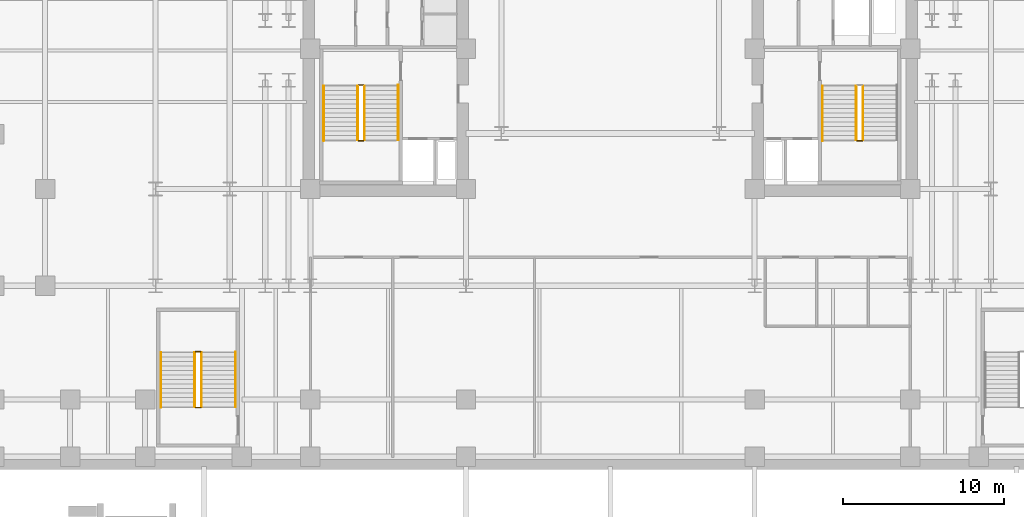
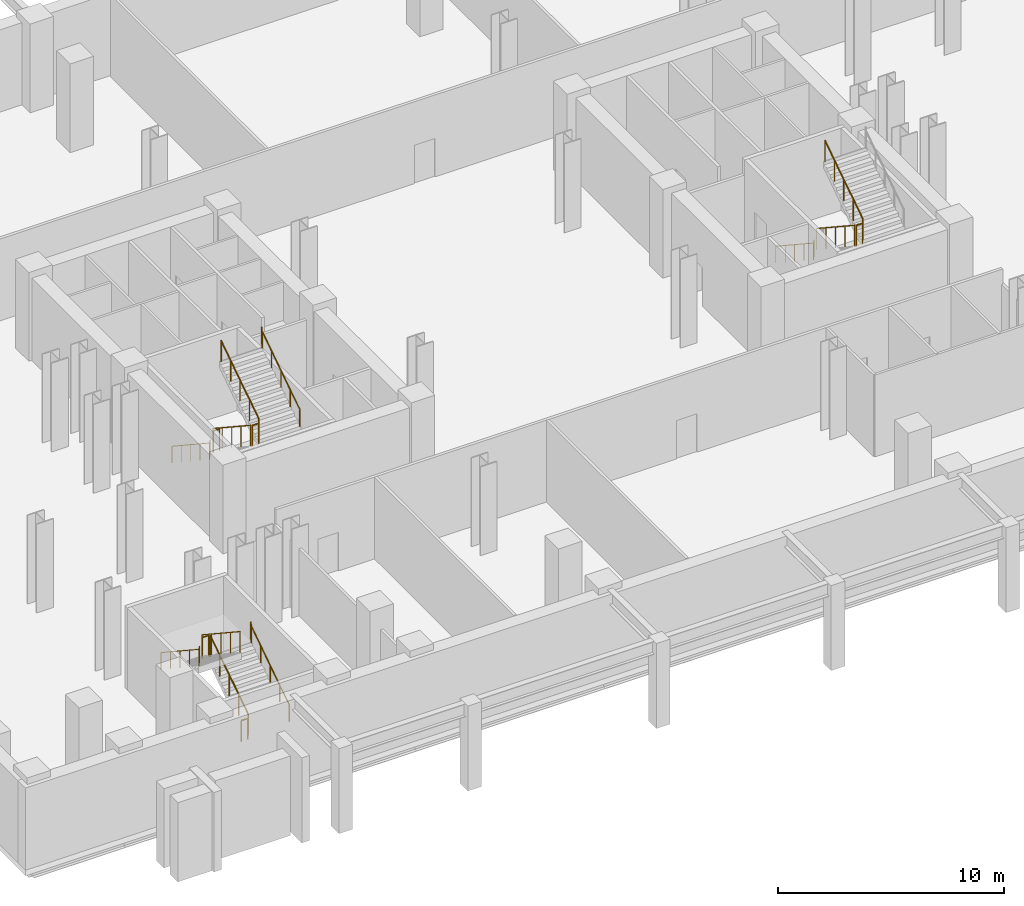
# One storey, part 11 of 13: 16 railings.
"""IFC4 building model written with IfcOpenShell, lengths in metres."""

from ifc_helpers import new_model, si_unit, direction, frame, origin, origin_2d, place, context, subcontext, project, spatial, circle, extrude, material, type_object, element, save


model = new_model("IFC4")

# Units and contexts
model_context = context("Model", 3, precision=1e-05, world=origin(), true_north=direction((0.0, 1.0)))
body_context = subcontext(model_context, "Body", "Model", "MODEL_VIEW")
ifc_project = project(units=[si_unit("LENGTHUNIT", "METRE"), si_unit("AREAUNIT", "SQUARE_METRE"), si_unit("VOLUMEUNIT", "CUBIC_METRE"), si_unit("PLANEANGLEUNIT", "RADIAN"), si_unit("MASSUNIT", "GRAM", prefix="KILO")], contexts=[model_context])

# Site, building, storey
site_placement = place(None, origin())
site = spatial("IfcSite", under=ifc_project, at=site_placement, CompositionType="ELEMENT")
building_placement = place(site_placement, origin())
building = spatial("IfcBuilding", under=site, at=building_placement, Name="Velakula Bourse", CompositionType="ELEMENT")
storey_placement = place(building_placement, frame((0.0, 0.0, -4.800048828125)))
storey = spatial("IfcBuildingStorey", under=building, at=storey_placement, Name="B01", CompositionType="ELEMENT", Elevation=-4.800048828125)

# Railings
ifc_material = material(Name="Brushed grade 316 stainless steel", Category="steel")
railing_type_1 = type_object("IfcRailingType", Name="RLG-STAIR-GUARD-1150", PredefinedType="BALUSTRADE", material=ifc_material)
railing_1_placement = place(storey_placement, frame((-15.672119140625, -2.199951171875, 0.1845703125)))
element("IfcRailing", 1, at=railing_1_placement, inside=storey, type_object=railing_type_1, Name="B01 ST-W1 stair guard 1", PredefinedType="BALUSTRADE", context=body_context, shape_type="SweptSolid", body=[
    extrude(circle(Radius=0.02490234375, at=origin_2d()), frame((0.0, 0.0, 1.125), z_axis=(0.0, -0.834848600103, 0.550479622607), x_axis=(1.0, 0.0, 0.0)), (0.0, 0.0, 1.0), 4.02490234375),
    extrude(circle(Radius=0.02099609375, at=origin_2d()), origin(), (0.0, 0.0, 1.0), 1.099853515625),
    extrude(circle(Radius=0.02099609375, at=origin_2d()), frame((0.0, -0.840087890625, 0.553955078125)), (0.0, 0.0, 1.0), 1.099853515625),
    extrude(circle(Radius=0.02099609375, at=origin_2d()), frame((0.0, -1.68017578125, 1.10791015625)), (0.0, 0.0, 1.0), 1.099853515625),
    extrude(circle(Radius=0.02099609375, at=origin_2d()), frame((0.0, -2.52001953125, 1.66162109375)), (0.0, 0.0, 1.0), 1.099853515625),
    extrude(circle(Radius=0.02099609375, at=origin_2d()), frame((0.0, -3.360107421875, 2.215576171875)), (0.0, 0.0, 1.0), 1.099853515625),
])
railing_2_placement = place(storey_placement, frame((-15.6220703125, -5.610107421875, 2.400146484375)))
element("IfcRailing", 2, at=railing_2_placement, inside=storey, type_object=railing_type_1, Name="B01 ST-W1 stair guard 2", PredefinedType="BALUSTRADE", context=body_context, shape_type="SweptSolid", body=[
    extrude(circle(Radius=0.02490234375, at=origin_2d()), frame((0.0, 0.0, 1.125), z_axis=(1.0, 0.0, 0.0), x_axis=(0.0, 1.0, 0.0)), (0.0, 0.0, 1.0), 0.323974609375),
    extrude(circle(Radius=0.02099609375, at=origin_2d()), origin(), (0.0, 0.0, 1.0), 1.099853515625),
    extrude(circle(Radius=0.02099609375, at=origin_2d()), frame((0.323974609375, 0.0, 0.0)), (0.0, 0.0, 1.0), 1.099853515625),
])
railing_3_placement = place(storey_placement, frame((-15.248046875, -5.56005859375, 2.584716796875)))
element("IfcRailing", 3, at=railing_3_placement, inside=storey, type_object=railing_type_1, Name="B01 ST-W1 stair guard 3", PredefinedType="BALUSTRADE", context=body_context, shape_type="SweptSolid", body=[
    extrude(circle(Radius=0.02490234375, at=origin_2d()), frame((0.0, 0.0, 1.125), z_axis=(0.0, 0.834876476806, 0.550437342915), x_axis=(-1.0, 0.0, 0.0)), (0.0, 0.0, 1.0), 4.024658203125),
    extrude(circle(Radius=0.02099609375, at=origin_2d()), origin(), (0.0, 0.0, 1.0), 1.099853515625),
    extrude(circle(Radius=0.02099609375, at=origin_2d()), frame((0.0, 0.840087890625, 0.5537109375)), (0.0, 0.0, 1.0), 1.099853515625),
    extrude(circle(Radius=0.02099609375, at=origin_2d()), frame((0.0, 1.68017578125, 1.107666015625)), (0.0, 0.0, 1.0), 1.099853515625),
    extrude(circle(Radius=0.02099609375, at=origin_2d()), frame((0.0, 2.52001953125, 1.66162109375)), (0.0, 0.0, 1.0), 1.099853515625),
    extrude(circle(Radius=0.02099609375, at=origin_2d()), frame((0.0, 3.360107421875, 2.21533203125)), (0.0, 0.0, 1.0), 1.099853515625),
])
railing_4_placement = place(storey_placement, frame((-15.6220703125, -2.14990234375, 0.0)))
element("IfcRailing", 4, at=railing_4_placement, inside=storey, type_object=railing_type_1, Name="B01 ST-W1 stair guard 4", PredefinedType="BALUSTRADE", context=body_context, shape_type="SweptSolid", body=[
    extrude(circle(Radius=0.02490234375, at=origin_2d()), frame((0.0, 0.0, 1.125), z_axis=(1.0, 0.0, 0.0), x_axis=(0.0, 1.0, 0.0)), (0.0, 0.0, 1.0), 0.323974609375),
    extrude(circle(Radius=0.02099609375, at=origin_2d()), origin(), (0.0, 0.0, 1.0), 1.099853515625),
    extrude(circle(Radius=0.02099609375, at=origin_2d()), frame((0.323974609375, 0.0, 0.0)), (0.0, 0.0, 1.0), 1.099853515625),
])
railing_5_placement = place(storey_placement, frame((15.248046875, -2.199951171875, 0.1845703125)))
element("IfcRailing", 5, at=railing_5_placement, inside=storey, type_object=railing_type_1, Name="B01 ST-E1 stair guard 1", PredefinedType="BALUSTRADE", context=body_context, shape_type="SweptSolid", body=[
    extrude(circle(Radius=0.02490234375, at=origin_2d()), frame((0.0, 0.0, 1.125), z_axis=(0.0, -0.834848600103, 0.550479622607), x_axis=(1.0, 0.0, 0.0)), (0.0, 0.0, 1.0), 4.02490234375),
    extrude(circle(Radius=0.02099609375, at=origin_2d()), origin(), (0.0, 0.0, 1.0), 1.099853515625),
    extrude(circle(Radius=0.02099609375, at=origin_2d()), frame((0.0, -0.840087890625, 0.553955078125)), (0.0, 0.0, 1.0), 1.099853515625),
    extrude(circle(Radius=0.02099609375, at=origin_2d()), frame((0.0, -1.68017578125, 1.10791015625)), (0.0, 0.0, 1.0), 1.099853515625),
    extrude(circle(Radius=0.02099609375, at=origin_2d()), frame((0.0, -2.52001953125, 1.66162109375)), (0.0, 0.0, 1.0), 1.099853515625),
    extrude(circle(Radius=0.02099609375, at=origin_2d()), frame((0.0, -3.360107421875, 2.215576171875)), (0.0, 0.0, 1.0), 1.099853515625),
])
railing_6_placement = place(storey_placement, frame((15.298095703125, -5.610107421875, 2.400146484375)))
element("IfcRailing", 6, at=railing_6_placement, inside=storey, type_object=railing_type_1, Name="B01 ST-E1 stair guard 2", PredefinedType="BALUSTRADE", context=body_context, shape_type="SweptSolid", body=[
    extrude(circle(Radius=0.02490234375, at=origin_2d()), frame((0.0, 0.0, 1.125), z_axis=(1.0, 0.0, 0.0), x_axis=(0.0, 1.0, 0.0)), (0.0, 0.0, 1.0), 0.323974609375),
    extrude(circle(Radius=0.02099609375, at=origin_2d()), origin(), (0.0, 0.0, 1.0), 1.099853515625),
    extrude(circle(Radius=0.02099609375, at=origin_2d()), frame((0.323974609375, 0.0, 0.0)), (0.0, 0.0, 1.0), 1.099853515625),
])
railing_7_placement = place(storey_placement, frame((15.672119140625, -5.56005859375, 2.584716796875)))
element("IfcRailing", 7, at=railing_7_placement, inside=storey, type_object=railing_type_1, Name="B01 ST-E1 stair guard 3", PredefinedType="BALUSTRADE", context=body_context, shape_type="SweptSolid", body=[
    extrude(circle(Radius=0.02490234375, at=origin_2d()), frame((0.0, 0.0, 1.125), z_axis=(0.0, 0.834876476806, 0.550437342915), x_axis=(-1.0, 0.0, 0.0)), (0.0, 0.0, 1.0), 4.024658203125),
    extrude(circle(Radius=0.02099609375, at=origin_2d()), origin(), (0.0, 0.0, 1.0), 1.099853515625),
    extrude(circle(Radius=0.02099609375, at=origin_2d()), frame((0.0, 0.840087890625, 0.5537109375)), (0.0, 0.0, 1.0), 1.099853515625),
    extrude(circle(Radius=0.02099609375, at=origin_2d()), frame((0.0, 1.68017578125, 1.107666015625)), (0.0, 0.0, 1.0), 1.099853515625),
    extrude(circle(Radius=0.02099609375, at=origin_2d()), frame((0.0, 2.52001953125, 1.66162109375)), (0.0, 0.0, 1.0), 1.099853515625),
    extrude(circle(Radius=0.02099609375, at=origin_2d()), frame((0.0, 3.360107421875, 2.21533203125)), (0.0, 0.0, 1.0), 1.099853515625),
])
railing_8_placement = place(storey_placement, frame((-25.347900390625, -22.10009765625, 0.1845703125)))
element("IfcRailing", 8, at=railing_8_placement, inside=storey, type_object=railing_type_1, Name="B01 ST-P1 stair guard 1", PredefinedType="BALUSTRADE", context=body_context, shape_type="SweptSolid", body=[
    extrude(circle(Radius=0.02490234375, at=origin_2d()), frame((0.0, 0.0, 1.125), z_axis=(0.0, 0.834848600103, 0.550479622607), x_axis=(-1.0, 0.0, 0.0)), (0.0, 0.0, 1.0), 4.02490234375),
    extrude(circle(Radius=0.02099609375, at=origin_2d()), origin(), (0.0, 0.0, 1.0), 1.099853515625),
    extrude(circle(Radius=0.02099609375, at=origin_2d()), frame((0.0, 0.840087890625, 0.553955078125)), (0.0, 0.0, 1.0), 1.099853515625),
    extrude(circle(Radius=0.02099609375, at=origin_2d()), frame((0.0, 1.68017578125, 1.10791015625)), (0.0, 0.0, 1.0), 1.099853515625),
    extrude(circle(Radius=0.02099609375, at=origin_2d()), frame((0.0, 2.52001953125, 1.66162109375)), (0.0, 0.0, 1.0), 1.099853515625),
    extrude(circle(Radius=0.02099609375, at=origin_2d()), frame((0.0, 3.360107421875, 2.215576171875)), (0.0, 0.0, 1.0), 1.099853515625),
])
railing_9_placement = place(storey_placement, frame((-25.39794921875, -18.68994140625, 2.400146484375)))
element("IfcRailing", 9, at=railing_9_placement, inside=storey, type_object=railing_type_1, Name="B01 ST-P1 stair guard 2", PredefinedType="BALUSTRADE", context=body_context, shape_type="SweptSolid", body=[
    extrude(circle(Radius=0.02490234375, at=origin_2d()), frame((0.0, 0.0, 1.125), z_axis=(-1.0, 0.0, 0.0), x_axis=(0.0, -1.0, 0.0)), (0.0, 0.0, 1.0), 0.323974609375),
    extrude(circle(Radius=0.02099609375, at=origin_2d()), origin(), (0.0, 0.0, 1.0), 1.099853515625),
    extrude(circle(Radius=0.02099609375, at=origin_2d()), frame((-0.323974609375, 0.0, 0.0)), (0.0, 0.0, 1.0), 1.099853515625),
])
railing_10_placement = place(storey_placement, frame((-25.77197265625, -18.739990234375, 2.584716796875)))
element("IfcRailing", 10, at=railing_10_placement, inside=storey, type_object=railing_type_1, Name="B01 ST-P1 stair guard 3", PredefinedType="BALUSTRADE", context=body_context, shape_type="SweptSolid", body=[
    extrude(circle(Radius=0.02490234375, at=origin_2d()), frame((0.0, 0.0, 1.125), z_axis=(0.0, -0.834876476806, 0.550437342915), x_axis=(1.0, 0.0, 0.0)), (0.0, 0.0, 1.0), 4.024658203125),
    extrude(circle(Radius=0.02099609375, at=origin_2d()), origin(), (0.0, 0.0, 1.0), 1.099853515625),
    extrude(circle(Radius=0.02099609375, at=origin_2d()), frame((0.0, -0.840087890625, 0.5537109375)), (0.0, 0.0, 1.0), 1.099853515625),
    extrude(circle(Radius=0.02099609375, at=origin_2d()), frame((0.0, -1.68017578125, 1.107666015625)), (0.0, 0.0, 1.0), 1.099853515625),
    extrude(circle(Radius=0.02099609375, at=origin_2d()), frame((0.0, -2.52001953125, 1.66162109375)), (0.0, 0.0, 1.0), 1.099853515625),
    extrude(circle(Radius=0.02099609375, at=origin_2d()), frame((0.0, -3.360107421875, 2.21533203125)), (0.0, 0.0, 1.0), 1.099853515625),
])
railing_11_placement = place(storey_placement, frame((-25.39794921875, -22.14990234375, 0.0)))
element("IfcRailing", 11, at=railing_11_placement, inside=storey, type_object=railing_type_1, Name="B01 ST-P1 stair guard 4", PredefinedType="BALUSTRADE", context=body_context, shape_type="SweptSolid", body=[
    extrude(circle(Radius=0.02490234375, at=origin_2d()), frame((0.0, 0.0, 1.125), z_axis=(-1.0, 0.0, 0.0), x_axis=(0.0, -1.0, 0.0)), (0.0, 0.0, 1.0), 0.323974609375),
    extrude(circle(Radius=0.02099609375, at=origin_2d()), origin(), (0.0, 0.0, 1.0), 1.099853515625),
    extrude(circle(Radius=0.02099609375, at=origin_2d()), frame((-0.323974609375, 0.0, 0.0)), (0.0, 0.0, 1.0), 1.099853515625),
])
railing_type_2 = type_object("IfcRailingType", Name="RLG-STAIR-HAND-920", PredefinedType="HANDRAIL", material=ifc_material)
railing_12_placement = place(storey_placement, frame((-17.77001953125, -2.199951171875, 0.1845703125)))
element("IfcRailing", 12, at=railing_12_placement, inside=storey, type_object=railing_type_2, Name="B01 ST-W1 stair handrail 1", PredefinedType="HANDRAIL", context=body_context, shape_type="SweptSolid", body=[
    extrude(circle(Radius=0.02099609375, at=origin_2d()), frame((0.0, 0.0, 0.89892578125), z_axis=(0.0, -0.834848600103, 0.550479622607), x_axis=(1.0, 0.0, 0.0)), (0.0, 0.0, 1.0), 4.02490234375),
    extrude(circle(Radius=0.02099609375, at=origin_2d()), frame((0.0, -3.360107421875, 3.114501953125), z_axis=(0.0, -0.212000284517, 0.977269604237), x_axis=(1.0, 0.0, 0.0)), (0.0, 0.0, 1.0), 0.18896484375),
    extrude(circle(Radius=0.02099609375, at=origin_2d()), frame((0.0, -3.400146484375, 3.299072265625), z_axis=(0.0, -1.0, 0.0), x_axis=(1.0, 0.0, 0.0)), (0.0, 0.0, 1.0), 0.0048828125),
    extrude(circle(Radius=0.02099609375, at=origin_2d()), origin(), (0.0, 0.0, 1.0), 0.8779296875),
    extrude(circle(Radius=0.02099609375, at=origin_2d()), frame((0.0, -0.840087890625, 0.553955078125)), (0.0, 0.0, 1.0), 0.8779296875),
    extrude(circle(Radius=0.02099609375, at=origin_2d()), frame((0.0, -1.68017578125, 1.10791015625)), (0.0, 0.0, 1.0), 0.8779296875),
    extrude(circle(Radius=0.02099609375, at=origin_2d()), frame((0.0, -2.52001953125, 1.66162109375)), (0.0, 0.0, 1.0), 0.8779296875),
    extrude(circle(Radius=0.02099609375, at=origin_2d()), frame((0.0, -3.360107421875, 2.215576171875)), (0.0, 0.0, 1.0), 0.8779296875),
    extrude(circle(Radius=0.02099609375, at=origin_2d()), frame((0.0, -3.400146484375, 2.400146484375)), (0.0, 0.0, 1.0), 0.8779296875),
    extrude(circle(Radius=0.02099609375, at=origin_2d()), frame((0.0, -3.405029296875, 2.400146484375)), (0.0, 0.0, 1.0), 0.8779296875),
])
railing_13_placement = place(storey_placement, frame((-13.14990234375, -5.56005859375, 2.584716796875)))
element("IfcRailing", 13, at=railing_13_placement, inside=storey, type_object=railing_type_2, Name="B01 ST-W1 stair handrail 2", PredefinedType="HANDRAIL", context=body_context, shape_type="SweptSolid", body=[
    extrude(circle(Radius=0.02099609375, at=origin_2d()), frame((0.0, 0.0, 0.89892578125), z_axis=(0.0, 0.834876476806, 0.550437342915), x_axis=(-1.0, 0.0, 0.0)), (0.0, 0.0, 1.0), 4.024658203125),
    extrude(circle(Radius=0.02099609375, at=origin_2d()), frame((0.0, 3.360107421875, 3.1142578125), z_axis=(0.0, 0.212000284517, 0.977269604237), x_axis=(-1.0, 0.0, 0.0)), (0.0, 0.0, 1.0), 0.18896484375),
    extrude(circle(Radius=0.02099609375, at=origin_2d()), frame((0.0, 3.400146484375, 3.298828125), z_axis=(0.0, 1.0, 0.0), x_axis=(-1.0, 0.0, 0.0)), (0.0, 0.0, 1.0), 0.0048828125),
    extrude(circle(Radius=0.02099609375, at=origin_2d()), origin(), (0.0, 0.0, 1.0), 0.8779296875),
    extrude(circle(Radius=0.02099609375, at=origin_2d()), frame((0.0, 0.840087890625, 0.5537109375)), (0.0, 0.0, 1.0), 0.8779296875),
    extrude(circle(Radius=0.02099609375, at=origin_2d()), frame((0.0, 1.68017578125, 1.107666015625)), (0.0, 0.0, 1.0), 0.8779296875),
    extrude(circle(Radius=0.02099609375, at=origin_2d()), frame((0.0, 2.52001953125, 1.66162109375)), (0.0, 0.0, 1.0), 0.8779296875),
    extrude(circle(Radius=0.02099609375, at=origin_2d()), frame((0.0, 3.360107421875, 2.21533203125)), (0.0, 0.0, 1.0), 0.8779296875),
    extrude(circle(Radius=0.02099609375, at=origin_2d()), frame((0.0, 3.400146484375, 2.39990234375)), (0.0, 0.0, 1.0), 0.8779296875),
    extrude(circle(Radius=0.02099609375, at=origin_2d()), frame((0.0, 3.405029296875, 2.39990234375)), (0.0, 0.0, 1.0), 0.8779296875),
])
railing_14_placement = place(storey_placement, frame((13.14990234375, -2.199951171875, 0.1845703125)))
element("IfcRailing", 14, at=railing_14_placement, inside=storey, type_object=railing_type_2, Name="B01 ST-E1 stair handrail 1", PredefinedType="HANDRAIL", context=body_context, shape_type="SweptSolid", body=[
    extrude(circle(Radius=0.02099609375, at=origin_2d()), frame((0.0, 0.0, 0.89892578125), z_axis=(0.0, -0.834848600103, 0.550479622607), x_axis=(1.0, 0.0, 0.0)), (0.0, 0.0, 1.0), 4.02490234375),
    extrude(circle(Radius=0.02099609375, at=origin_2d()), frame((0.0, -3.360107421875, 3.114501953125), z_axis=(0.0, -0.212000284517, 0.977269604237), x_axis=(1.0, 0.0, 0.0)), (0.0, 0.0, 1.0), 0.18896484375),
    extrude(circle(Radius=0.02099609375, at=origin_2d()), frame((0.0, -3.400146484375, 3.299072265625), z_axis=(0.0, -1.0, 0.0), x_axis=(1.0, 0.0, 0.0)), (0.0, 0.0, 1.0), 0.0048828125),
    extrude(circle(Radius=0.02099609375, at=origin_2d()), origin(), (0.0, 0.0, 1.0), 0.8779296875),
    extrude(circle(Radius=0.02099609375, at=origin_2d()), frame((0.0, -0.840087890625, 0.553955078125)), (0.0, 0.0, 1.0), 0.8779296875),
    extrude(circle(Radius=0.02099609375, at=origin_2d()), frame((0.0, -1.68017578125, 1.10791015625)), (0.0, 0.0, 1.0), 0.8779296875),
    extrude(circle(Radius=0.02099609375, at=origin_2d()), frame((0.0, -2.52001953125, 1.66162109375)), (0.0, 0.0, 1.0), 0.8779296875),
    extrude(circle(Radius=0.02099609375, at=origin_2d()), frame((0.0, -3.360107421875, 2.215576171875)), (0.0, 0.0, 1.0), 0.8779296875),
    extrude(circle(Radius=0.02099609375, at=origin_2d()), frame((0.0, -3.400146484375, 2.400146484375)), (0.0, 0.0, 1.0), 0.8779296875),
    extrude(circle(Radius=0.02099609375, at=origin_2d()), frame((0.0, -3.405029296875, 2.400146484375)), (0.0, 0.0, 1.0), 0.8779296875),
])
railing_15_placement = place(storey_placement, frame((-23.25, -22.10009765625, 0.1845703125)))
element("IfcRailing", 15, at=railing_15_placement, inside=storey, type_object=railing_type_2, Name="B01 ST-P1 stair handrail 1", PredefinedType="HANDRAIL", context=body_context, shape_type="SweptSolid", body=[
    extrude(circle(Radius=0.02099609375, at=origin_2d()), frame((0.0, 0.0, 0.89892578125), z_axis=(0.0, 0.834848600103, 0.550479622607), x_axis=(-1.0, 0.0, 0.0)), (0.0, 0.0, 1.0), 4.02490234375),
    extrude(circle(Radius=0.02099609375, at=origin_2d()), frame((0.0, 3.360107421875, 3.114501953125), z_axis=(0.0, 0.212000284517, 0.977269604237), x_axis=(-1.0, 0.0, 0.0)), (0.0, 0.0, 1.0), 0.18896484375),
    extrude(circle(Radius=0.02099609375, at=origin_2d()), frame((0.0, 3.400146484375, 3.299072265625), z_axis=(0.0, 1.0, 0.0), x_axis=(-1.0, 0.0, 0.0)), (0.0, 0.0, 1.0), 0.0048828125),
    extrude(circle(Radius=0.02099609375, at=origin_2d()), origin(), (0.0, 0.0, 1.0), 0.8779296875),
    extrude(circle(Radius=0.02099609375, at=origin_2d()), frame((0.0, 0.840087890625, 0.553955078125)), (0.0, 0.0, 1.0), 0.8779296875),
    extrude(circle(Radius=0.02099609375, at=origin_2d()), frame((0.0, 1.68017578125, 1.10791015625)), (0.0, 0.0, 1.0), 0.8779296875),
    extrude(circle(Radius=0.02099609375, at=origin_2d()), frame((0.0, 2.52001953125, 1.66162109375)), (0.0, 0.0, 1.0), 0.8779296875),
    extrude(circle(Radius=0.02099609375, at=origin_2d()), frame((0.0, 3.360107421875, 2.215576171875)), (0.0, 0.0, 1.0), 0.8779296875),
    extrude(circle(Radius=0.02099609375, at=origin_2d()), frame((0.0, 3.400146484375, 2.400146484375)), (0.0, 0.0, 1.0), 0.8779296875),
    extrude(circle(Radius=0.02099609375, at=origin_2d()), frame((0.0, 3.405029296875, 2.400146484375)), (0.0, 0.0, 1.0), 0.8779296875),
])
railing_16_placement = place(storey_placement, frame((-27.8701171875, -18.739990234375, 2.584716796875)))
element("IfcRailing", 16, at=railing_16_placement, inside=storey, type_object=railing_type_2, Name="B01 ST-P1 stair handrail 2", PredefinedType="HANDRAIL", context=body_context, shape_type="SweptSolid", body=[
    extrude(circle(Radius=0.02099609375, at=origin_2d()), frame((0.0, 0.0, 0.89892578125), z_axis=(0.0, -0.834876476806, 0.550437342915), x_axis=(1.0, 0.0, 0.0)), (0.0, 0.0, 1.0), 4.024658203125),
    extrude(circle(Radius=0.02099609375, at=origin_2d()), frame((0.0, -3.360107421875, 3.1142578125), z_axis=(0.0, -0.210765191725, 0.977536717447), x_axis=(1.0, 0.0, 0.0)), (0.0, 0.0, 1.0), 0.188720703125),
    extrude(circle(Radius=0.02099609375, at=origin_2d()), frame((0.0, -3.39990234375, 3.298828125), z_axis=(0.0, -1.0, 0.0), x_axis=(1.0, 0.0, 0.0)), (0.0, 0.0, 1.0), 0.005126953125),
    extrude(circle(Radius=0.02099609375, at=origin_2d()), origin(), (0.0, 0.0, 1.0), 0.8779296875),
    extrude(circle(Radius=0.02099609375, at=origin_2d()), frame((0.0, -0.840087890625, 0.5537109375)), (0.0, 0.0, 1.0), 0.8779296875),
    extrude(circle(Radius=0.02099609375, at=origin_2d()), frame((0.0, -1.68017578125, 1.107666015625)), (0.0, 0.0, 1.0), 0.8779296875),
    extrude(circle(Radius=0.02099609375, at=origin_2d()), frame((0.0, -2.52001953125, 1.66162109375)), (0.0, 0.0, 1.0), 0.8779296875),
    extrude(circle(Radius=0.02099609375, at=origin_2d()), frame((0.0, -3.360107421875, 2.21533203125)), (0.0, 0.0, 1.0), 0.8779296875),
    extrude(circle(Radius=0.02099609375, at=origin_2d()), frame((0.0, -3.39990234375, 2.39990234375)), (0.0, 0.0, 1.0), 0.8779296875),
    extrude(circle(Radius=0.02099609375, at=origin_2d()), frame((0.0, -3.405029296875, 2.39990234375)), (0.0, 0.0, 1.0), 0.8779296875),
])

save(model, "model.ifc")
